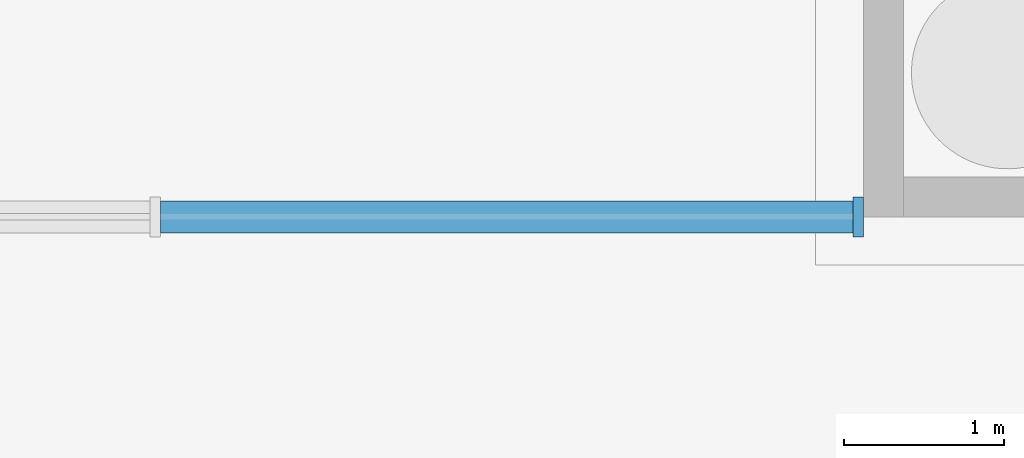
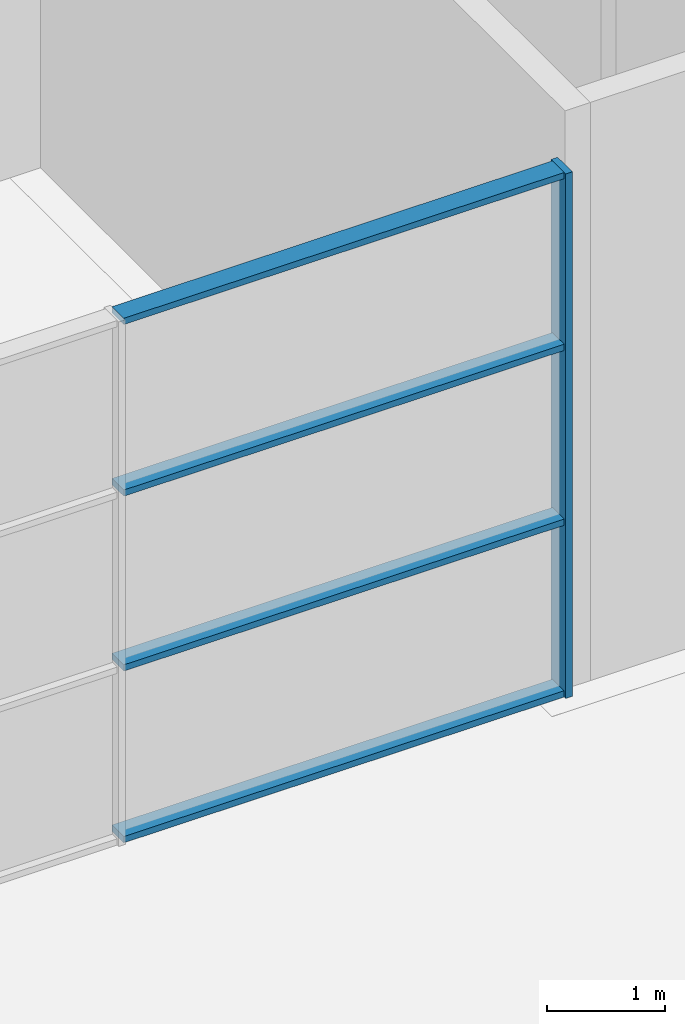
# One storey, part 50 of 97: 5 members, 1 element without a shape of its own.
"""IFC4 building model written with IfcOpenShell, lengths in metres."""

from ifc_helpers import new_model, si_unit, direction, frame, origin, origin_2d, place, context, subcontext, project, spatial, rectangle, extrude, material, layer, layer_set, material_profile, profile_set, type_object, element, aggregate, save


model = new_model("IFC4")

# Units and contexts
model_context = context("Model", 3, precision=1e-05, world=origin(), true_north=direction((0.0, 1.0)))
body_context = subcontext(model_context, "Body", "Model", "MODEL_VIEW")
ifc_project = project(units=[si_unit("LENGTHUNIT", "METRE"), si_unit("AREAUNIT", "SQUARE_METRE"), si_unit("VOLUMEUNIT", "CUBIC_METRE"), si_unit("PLANEANGLEUNIT", "RADIAN"), si_unit("MASSUNIT", "GRAM", prefix="KILO")], contexts=[model_context])

# Site, building, storey
site_placement = place(None, origin())
site = spatial("IfcSite", under=ifc_project, at=site_placement, CompositionType="ELEMENT")
building_placement = place(site_placement, origin())
building = spatial("IfcBuilding", under=site, at=building_placement, Name="Corbel Yard City Hall", CompositionType="ELEMENT")
storey_placement = place(building_placement, origin())
storey = spatial("IfcBuildingStorey", under=building, at=storey_placement, Name="L00", CompositionType="ELEMENT", Elevation=0.0)

# Curtain wall, members
ifc_material = material(Name="Aluminium extrusion", Category="aluminium")
ifc_layer = layer(ifc_material, 0.25)
ifc_layer_set = layer_set([ifc_layer], Name="Aluminium extrusion")
curtain_wall_type = type_object("IfcCurtainWallType", Name="CW4", PredefinedType="USERDEFINED", material=ifc_layer_set)
curtain_wall_placement = place(storey_placement, origin())
curtain_wall = element("IfcCurtainWall", 1, at=curtain_wall_placement, inside=storey, type_object=curtain_wall_type, Name="Curtain wall CW4 L00", ObjectType="CURTAIN WALL", PredefinedType="USERDEFINED")
ifc_material_profile_1 = material_profile(ifc_material, rectangle(XDim=0.25, YDim=0.06494140625, at=origin_2d()), Name="250x65")
ifc_profile_set_1 = profile_set([ifc_material_profile_1], Name="Aluminium extrusion")
member_type_1 = type_object("IfcMemberType", Name="ML4", PredefinedType="MULLION", material=ifc_profile_set_1)
member_1_placement = place(storey_placement, frame((170.967529296875, 45.0, 0.0), z_axis=(0.0, 0.0, 1.0), x_axis=(0.0, 1.0, 0.0)))
member_1 = element("IfcMember", 2, at=member_1_placement, type_object=member_type_1, Name="CW4 mullion 3", PredefinedType="MULLION", context=body_context, shape_type="SweptSolid", body=[
    extrude(rectangle(XDim=0.25, YDim=0.06494140625, at=origin_2d()), origin(), (0.0, 0.0, 1.0), 5.444091796875),
])
ifc_material_profile_2 = material_profile(ifc_material, rectangle(XDim=0.199951171875, YDim=0.06494140625, at=origin_2d()), Name="200x65")
ifc_profile_set_2 = profile_set([ifc_material_profile_2], Name="Aluminium extrusion")
member_type_2 = type_object("IfcMemberType", Name="TR4", PredefinedType="USERDEFINED", material=ifc_profile_set_2)
member_2_placement = place(storey_placement, frame((166.611328125, 45.0, 0.032470703125), z_axis=(1.0, 0.0, 0.0), x_axis=(0.0, 1.0, 0.0)))
member_2 = element("IfcMember", 3, at=member_2_placement, type_object=member_type_2, Name="CW4 transom 2.1", ObjectType="TRANSOM", PredefinedType="USERDEFINED", context=body_context, shape_type="SweptSolid", body=[
    extrude(rectangle(XDim=0.199951171875, YDim=0.06494140625, at=origin_2d()), origin(), (0.0, 0.0, 1.0), 4.32373046875),
])
member_3_placement = place(storey_placement, frame((166.611328125, 45.0, 1.814697265625), z_axis=(1.0, 0.0, 0.0), x_axis=(0.0, 1.0, 0.0)))
member_3 = element("IfcMember", 4, at=member_3_placement, type_object=member_type_2, Name="CW4 transom 2.2", ObjectType="TRANSOM", PredefinedType="USERDEFINED", context=body_context, shape_type="SweptSolid", body=[
    extrude(rectangle(XDim=0.199951171875, YDim=0.06494140625, at=origin_2d()), origin(), (0.0, 0.0, 1.0), 4.32373046875),
])
member_4_placement = place(storey_placement, frame((166.611328125, 45.0, 3.62939453125), z_axis=(1.0, 0.0, 0.0), x_axis=(0.0, 1.0, 0.0)))
member_4 = element("IfcMember", 5, at=member_4_placement, type_object=member_type_2, Name="CW4 transom 2.3", ObjectType="TRANSOM", PredefinedType="USERDEFINED", context=body_context, shape_type="SweptSolid", body=[
    extrude(rectangle(XDim=0.199951171875, YDim=0.06494140625, at=origin_2d()), origin(), (0.0, 0.0, 1.0), 4.32373046875),
])
member_5_placement = place(storey_placement, frame((166.611328125, 45.0, 5.41162109375), z_axis=(1.0, 0.0, 0.0), x_axis=(0.0, 1.0, 0.0)))
member_5 = element("IfcMember", 6, at=member_5_placement, type_object=member_type_2, Name="CW4 transom 2.4", ObjectType="TRANSOM", PredefinedType="USERDEFINED", context=body_context, shape_type="SweptSolid", body=[
    extrude(rectangle(XDim=0.199951171875, YDim=0.06494140625, at=origin_2d()), origin(), (0.0, 0.0, 1.0), 4.32373046875),
])
aggregate(curtain_wall, [member_1, member_2, member_3, member_4, member_5])

save(model, "model.ifc")
